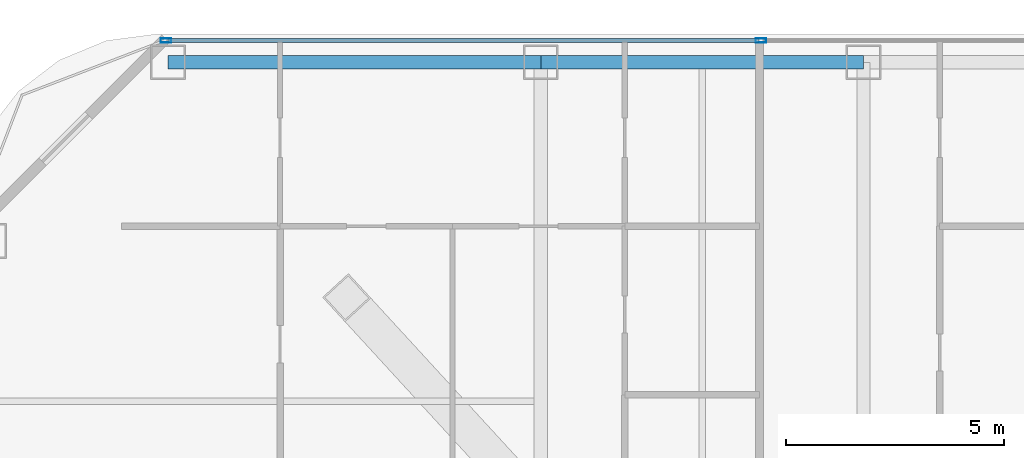
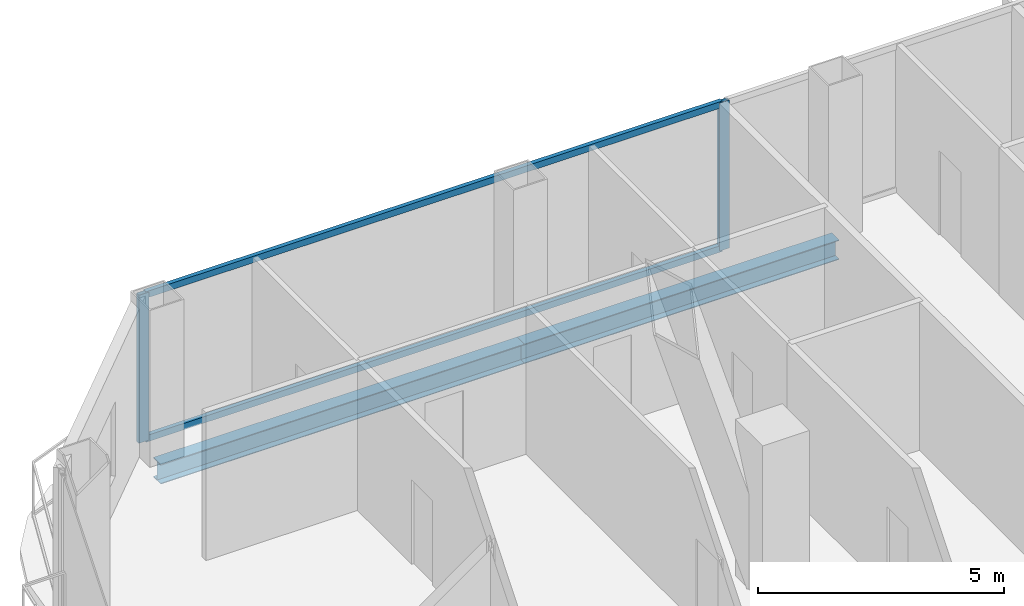
# One storey, part 14 of 28: 4 members, 2 beams, 1 element without a shape of its own.
"""IFC4 building model written with IfcOpenShell, lengths in metres."""

import ifcopenshell
import ifcopenshell.guid

model = None  # the IFC model being written
_history = None  # IfcOwnerHistory: only IFC2X3 demands one
_inside = {}  # id of a spatial element -> (the spatial element, [elements in it])
_under = {}  # id of a project, library or spatial element -> (it, [spatial elements below it])
_declared = {}  # id of a project -> (the project, [libraries it declares])
_typed = {}  # id of a type object -> (the type object, [elements of that type])
_made_of = {}  # id of a material, layer set ... -> (it, [elements and type objects made of it])


def new_model(schema):
    """Start an empty IFC model of exactly this schema.

    Asked for "IFC4X3", IfcOpenShell would pick the latest addendum, in which some entities
    have other attributes; the version numbers below select the first issue.
    IFC2X3 requires an IfcOwnerHistory on every rooted entity: one is made here for all.
    """
    global model, _history
    if schema == "IFC4X3":
        model = ifcopenshell.file(schema_version=(4, 3, 0, 0))
    else:
        model = ifcopenshell.file(schema=schema)
    _inside.clear()
    _under.clear()
    _declared.clear()
    _typed.clear()
    _made_of.clear()
    _history = None
    if model.schema == "IFC2X3":
        org = make("IfcOrganization", Name="unknown")
        user = make(
            "IfcPersonAndOrganization",
            ThePerson=make("IfcPerson", FamilyName="unknown"),
            TheOrganization=org,
        )
        app = make(
            "IfcApplication",
            ApplicationDeveloper=org,
            Version="unknown",
            ApplicationFullName="unknown",
            ApplicationIdentifier="unknown",
        )
        _history = make(
            "IfcOwnerHistory",
            OwningUser=user,
            OwningApplication=app,
            ChangeAction="ADDED",
            CreationDate=0,
        )
    return model


def make(cls, **values):
    """One entity of the class cls with the attributes given. An attribute that is None is left unset."""
    return model.create_entity(
        cls, **{name: value for name, value in values.items() if value is not None}
    )


def rooted(cls, **values):
    """An entity with a GlobalId (a new one), such as an element, a storey or a relation."""
    return make(cls, GlobalId=ifcopenshell.guid.new(), OwnerHistory=_history, **values)


def si_unit(unit_type, name, prefix=None):
    """IfcSIUnit, for example si_unit("LENGTHUNIT", "METRE", prefix="MILLI")."""
    return make("IfcSIUnit", UnitType=unit_type, Prefix=prefix, Name=name)


def assignment(units):
    """IfcUnitAssignment: the units of a project."""
    return None if units is None else make("IfcUnitAssignment", Units=units)


def point(xyz):
    """IfcCartesianPoint."""
    return None if xyz is None else make("IfcCartesianPoint", Coordinates=xyz)


def direction(xyz):
    """IfcDirection."""
    return None if xyz is None else make("IfcDirection", DirectionRatios=xyz)


def frame(location, z_axis=None, x_axis=None):
    """IfcAxis2Placement3D, a coordinate frame: its origin and axes. An axis left out is left unset."""
    return make(
        "IfcAxis2Placement3D",
        Location=point(location),
        Axis=direction(z_axis),
        RefDirection=direction(x_axis),
    )


def frame_2d(location, x_axis=None):
    """IfcAxis2Placement2D, a coordinate frame in the plane: its origin and x axis."""
    return make(
        "IfcAxis2Placement2D", Location=point(location), RefDirection=direction(x_axis)
    )


def origin():
    """The frame at (0, 0, 0) with its axes left unset."""
    return frame((0.0, 0.0, 0.0))


def origin_2d():
    """The frame at (0, 0) in the plane with its x axis left unset."""
    return frame_2d((0.0, 0.0))


def place(relative_to, where):
    """IfcLocalPlacement: puts the frame where relative to a parent placement (None: the world)."""
    return make(
        "IfcLocalPlacement", PlacementRelTo=relative_to, RelativePlacement=where
    )


def context(
    kind, dimensions, precision=None, world=None, true_north=None, identifier=None
):
    """IfcGeometricRepresentationContext, for example the 3D "Model" context."""
    return make(
        "IfcGeometricRepresentationContext",
        ContextIdentifier=identifier,
        ContextType=kind,
        CoordinateSpaceDimension=dimensions,
        Precision=precision,
        WorldCoordinateSystem=world,
        TrueNorth=true_north,
    )


def subcontext(parent, identifier, kind, view, scale=None):
    """IfcGeometricRepresentationSubContext, for example "Body" below "Model"."""
    return make(
        "IfcGeometricRepresentationSubContext",
        ContextIdentifier=identifier,
        ContextType=kind,
        ParentContext=parent,
        TargetScale=scale,
        TargetView=view,
    )


def project(units=None, contexts=None):
    """IfcProject with its units and contexts."""
    return rooted(
        "IfcProject",
        Name="project",
        RepresentationContexts=contexts,
        UnitsInContext=assignment(units),
    )


def spatial(cls, under=None, at=None, **own):
    """A site, building, storey or space (cls), placed at a placement, below another one or the project."""
    s = rooted(cls, ObjectPlacement=at, **own)
    if under is not None:
        _under.setdefault(under.id(), (under, []))[1].append(s)
    return s


def profile(cls, at=None, kind="AREA", **sizes):
    """A parametric profile (cls). Its sizes go by their IFC names, for example OverallWidth=200.0."""
    return make(cls, ProfileType=kind, Position=at, **sizes)


def hollow_rectangle(**sizes):
    """IfcRectangleHollowProfileDef."""
    return profile("IfcRectangleHollowProfileDef", **sizes)


def i_section(**sizes):
    """IfcIShapeProfileDef."""
    return profile("IfcIShapeProfileDef", **sizes)


def extrude(swept, where, along, depth):
    """IfcExtrudedAreaSolid: the profile swept, set in the frame where, extruded along a direction by depth."""
    return make(
        "IfcExtrudedAreaSolid",
        SweptArea=swept,
        Position=where,
        ExtrudedDirection=direction(along),
        Depth=depth,
    )


def shape(context_of_items, identifier, shape_type, items):
    """IfcShapeRepresentation: the items that make up one representation, for example the "Body"."""
    return make(
        "IfcShapeRepresentation",
        ContextOfItems=context_of_items,
        RepresentationIdentifier=identifier,
        RepresentationType=shape_type,
        Items=items,
    )


def material(Name=None, Category=None):
    """IfcMaterial."""
    return make("IfcMaterial", Name=Name, Category=Category)


def layer(
    of_material, thickness, ventilated=None, Name=None, Category=None, Priority=None
):
    """IfcMaterialLayer: one layer of a wall or slab, of a material (None: an air gap)."""
    return make(
        "IfcMaterialLayer",
        Material=of_material,
        LayerThickness=thickness,
        IsVentilated=ventilated,
        Name=Name,
        Category=Category,
        Priority=Priority,
    )


def layer_set(layers, Name=None):
    """IfcMaterialLayerSet."""
    return make("IfcMaterialLayerSet", MaterialLayers=layers, LayerSetName=Name)


def material_profile(
    of_material, cross_section, Name=None, Category=None, Priority=None
):
    """IfcMaterialProfile: a cross section and its material."""
    return make(
        "IfcMaterialProfile",
        Name=Name,
        Material=of_material,
        Profile=cross_section,
        Priority=Priority,
        Category=Category,
    )


def profile_set(profiles, Name=None, composite=None):
    """IfcMaterialProfileSet."""
    return make(
        "IfcMaterialProfileSet",
        Name=Name,
        MaterialProfiles=profiles,
        CompositeProfile=composite,
    )


def made_of(thing, what):
    """Note that an element or type object is made of a material, layer set ...; save() writes the relation."""
    if what is not None:
        _made_of.setdefault(what.id(), (what, []))[1].append(thing)
    return thing


def type_object(cls, material=None, **own):
    """A type object (cls), such as IfcWallType, which elements share."""
    return made_of(rooted(cls, **own), material)


def element(
    cls,
    number,
    at=None,
    inside=None,
    cuts=None,
    type_object=None,
    material=None,
    context=None,
    identifier="Body",
    shape_type=None,
    held_by="IfcProductDefinitionShape",
    body=None,
    shapes=None,
    **own,
):
    """One element of the class cls, such as IfcWall. Its Tag is "e" and its number.

    at: its placement. inside: the storey or other place that contains it. cuts: it is an
    opening in that element (IfcRelVoidsElement). A single representation is given by context,
    identifier, shape_type and body (its items); several are given by shapes. held_by: the class
    of the entity that holds the representations. save() writes the other relations.
    """
    e = rooted(cls, Tag="e%d" % number, ObjectPlacement=at, **own)
    if body is not None:
        shapes = [shape(context, identifier, shape_type, body)]
    if shapes is not None:
        e.Representation = make(held_by, Representations=shapes)
    if inside is not None:
        _inside.setdefault(inside.id(), (inside, []))[1].append(e)
    if cuts is not None:
        rooted(
            "IfcRelVoidsElement", RelatingBuildingElement=cuts, RelatedOpeningElement=e
        )
    if type_object is not None:
        _typed.setdefault(type_object.id(), (type_object, []))[1].append(e)
    return made_of(e, material)


def aggregate(whole, parts):
    """IfcRelAggregates: a whole, such as a stair, and the parts it consists of."""
    return rooted("IfcRelAggregates", RelatingObject=whole, RelatedObjects=parts)


def save(model, path):
    """Write the relations noted so far, then the file.

    IfcRelAggregates (storeys below a building ...), IfcRelContainedInSpatialStructure (elements
    in a storey), IfcRelDefinesByType, IfcRelAssociatesMaterial and IfcRelDeclares: one each for
    every whole, place, type object, material and project.
    """
    for whole, parts in _under.values():
        aggregate(whole, parts)
    for where, things in _inside.values():
        rooted(
            "IfcRelContainedInSpatialStructure",
            RelatedElements=things,
            RelatingStructure=where,
        )
    for kind, things in _typed.values():
        rooted("IfcRelDefinesByType", RelatedObjects=things, RelatingType=kind)
    for what, things in _made_of.values():
        rooted("IfcRelAssociatesMaterial", RelatedObjects=things, RelatingMaterial=what)
    for by, libraries in _declared.values():
        rooted("IfcRelDeclares", RelatingContext=by, RelatedDefinitions=libraries)
    model.write(path)


model = new_model("IFC4")

# Units and contexts
model_context = context("Model", 3, precision=1e-05, world=origin(), true_north=direction((0.0, 1.0)))
body_context = subcontext(model_context, "Body", "Model", "MODEL_VIEW")
ifc_project = project(units=[si_unit("LENGTHUNIT", "METRE"), si_unit("AREAUNIT", "SQUARE_METRE"), si_unit("VOLUMEUNIT", "CUBIC_METRE"), si_unit("PLANEANGLEUNIT", "RADIAN"), si_unit("MASSUNIT", "GRAM", prefix="KILO")], contexts=[model_context])

# Site, building, storey
site_placement = place(None, origin())
site = spatial("IfcSite", under=ifc_project, at=site_placement, CompositionType="ELEMENT")
building_placement = place(site_placement, origin())
building = spatial("IfcBuilding", under=site, at=building_placement, Name="Khorvyn Point Tower", CompositionType="ELEMENT")
storey_placement = place(building_placement, frame((0.0, 0.0, 89.10009765625)))
storey = spatial("IfcBuildingStorey", under=building, at=storey_placement, Name="L22", CompositionType="ELEMENT", Elevation=89.10009765625)

# Curtain wall, members
ifc_material_1 = material(Name="Anodised aluminium 6063-T6 and laminated Low-E glass", Category="aluminium")
ifc_layer = layer(ifc_material_1, 0.18994140625)
ifc_layer_set = layer_set([ifc_layer], Name="Stick-Built Finned Residential Curtain Wall CW-SYS-02")
curtain_wall_type = type_object("IfcCurtainWallType", Name="Stick-Built Finned Residential Curtain Wall CW-SYS-02", PredefinedType="NOTDEFINED", material=ifc_layer_set)
curtain_wall_placement = place(storey_placement, origin())
curtain_wall = element("IfcCurtainWall", 1, at=curtain_wall_placement, inside=storey, type_object=curtain_wall_type, Name="Curtain Wall", PredefinedType="NOTDEFINED")
ifc_material_2 = material(Name="Anodised aluminium 6063-T6", Category="aluminium")
ifc_material_profile_1 = material_profile(ifc_material_2, hollow_rectangle(XDim=0.10009765625, YDim=0.239990234375, WallThickness=0.0048828125, at=origin_2d()))
ifc_profile_set_1 = profile_set([ifc_material_profile_1], Name="Anodised aluminium 6063-T6 ALU-MUL-100x240")
member_type_1 = type_object("IfcMemberType", Name="Anodised Aluminium 6063-T6 Mullion ALU-MUL-100x240", PredefinedType="MULLION", material=ifc_profile_set_1)
member_1_placement = place(storey_placement, frame((-23.39990234375, 30.85009765625, 0.0), z_axis=(0.0, 0.0, 1.0), x_axis=(0.0, 1.0, 0.0)))
member_1 = element("IfcMember", 2, at=member_1_placement, type_object=member_type_1, Name="Transom", PredefinedType="MULLION", context=body_context, shape_type="SweptSolid", body=[
    extrude(hollow_rectangle(XDim=0.10009765625, YDim=0.239990234375, WallThickness=0.0048828125, at=origin_2d()), origin(), (0.0, 0.0, 1.0), 3.679931640625),
])
member_2_placement = place(storey_placement, frame((-9.75, 30.85009765625, 0.0), z_axis=(0.0, 0.0, 1.0), x_axis=(0.0, 1.0, 0.0)))
member_2 = element("IfcMember", 3, at=member_2_placement, type_object=member_type_1, Name="Transom", PredefinedType="MULLION", context=body_context, shape_type="SweptSolid", body=[
    extrude(hollow_rectangle(XDim=0.10009765625, YDim=0.239990234375, WallThickness=0.0048828125, at=origin_2d()), origin(), (0.0, 0.0, 1.0), 3.679931640625),
])
ifc_material_profile_2 = material_profile(ifc_material_2, hollow_rectangle(XDim=0.10009765625, YDim=0.159912109375, WallThickness=0.00439453125, at=origin_2d()))
ifc_profile_set_2 = profile_set([ifc_material_profile_2], Name="Anodised aluminium 6063-T6 ALU-TRN-100x160")
member_type_2 = type_object("IfcMemberType", Name="Anodised Aluminium 6063-T6 Transom ALU-TRN-100x160", PredefinedType="USERDEFINED", material=ifc_profile_set_2)
member_3_placement = place(storey_placement, frame((-23.35009765625, 30.85009765625, 0.0498046875), z_axis=(1.0, 0.0, 0.0), x_axis=(0.0, 1.0, 0.0)))
member_3 = element("IfcMember", 4, at=member_3_placement, type_object=member_type_2, Name="Transom", ObjectType="TRANSOM", PredefinedType="USERDEFINED", context=body_context, shape_type="SweptSolid", body=[
    extrude(hollow_rectangle(XDim=0.10009765625, YDim=0.159912109375, WallThickness=0.00439453125, at=origin_2d()), origin(), (0.0, 0.0, 1.0), 13.550048828125),
])
member_4_placement = place(storey_placement, frame((-23.35009765625, 30.85009765625, 3.6298828125), z_axis=(1.0, 0.0, 0.0), x_axis=(0.0, 1.0, 0.0)))
member_4 = element("IfcMember", 5, at=member_4_placement, type_object=member_type_2, Name="Transom", ObjectType="TRANSOM", PredefinedType="USERDEFINED", context=body_context, shape_type="SweptSolid", body=[
    extrude(hollow_rectangle(XDim=0.10009765625, YDim=0.159912109375, WallThickness=0.00439453125, at=origin_2d()), origin(), (0.0, 0.0, 1.0), 13.550048828125),
])
aggregate(curtain_wall, [member_1, member_2, member_3, member_4])

# Beams
ifc_material_3 = material(Name="Steel S355", Category="steel")
ifc_material_profile_3 = material_profile(ifc_material_3, i_section(OverallWidth=0.300048828125, OverallDepth=0.488037109375, WebThickness=0.010986328125, FlangeThickness=0.01806640625, at=origin_2d()))
ifc_profile_set_3 = profile_set([ifc_material_profile_3], Name="Steel S355 H488x300x11x18")
beam_type = type_object("IfcBeamType", Name="Steel S355 Spandrel H488x300x11x18", PredefinedType="SPANDREL", material=ifc_profile_set_3)
beam_1_placement = place(storey_placement, frame((-23.35009765625, 30.35009765625, -0.464111328125), z_axis=(1.0, 0.0, 0.0), x_axis=(0.0, 1.0, 0.0)))
element("IfcBeam", 6, at=beam_1_placement, inside=storey, type_object=beam_type, Name="Beam", PredefinedType="SPANDREL", context=body_context, shape_type="SweptSolid", body=[
    extrude(i_section(OverallWidth=0.300048828125, OverallDepth=0.488037109375, WebThickness=0.010986328125, FlangeThickness=0.01806640625, at=origin_2d()), origin(), (0.0, 0.0, 1.0), 8.550048828125),
])
beam_2_placement = place(storey_placement, frame((-14.800048828125, 30.35009765625, -0.464111328125), z_axis=(1.0, 0.0, 0.0), x_axis=(0.0, 1.0, 0.0)))
element("IfcBeam", 7, at=beam_2_placement, inside=storey, type_object=beam_type, Name="Beam", PredefinedType="SPANDREL", context=body_context, shape_type="SweptSolid", body=[
    extrude(i_section(OverallWidth=0.300048828125, OverallDepth=0.488037109375, WebThickness=0.010986328125, FlangeThickness=0.01806640625, at=origin_2d()), origin(), (0.0, 0.0, 1.0), 7.400146484375),
])

save(model, "model.ifc")
